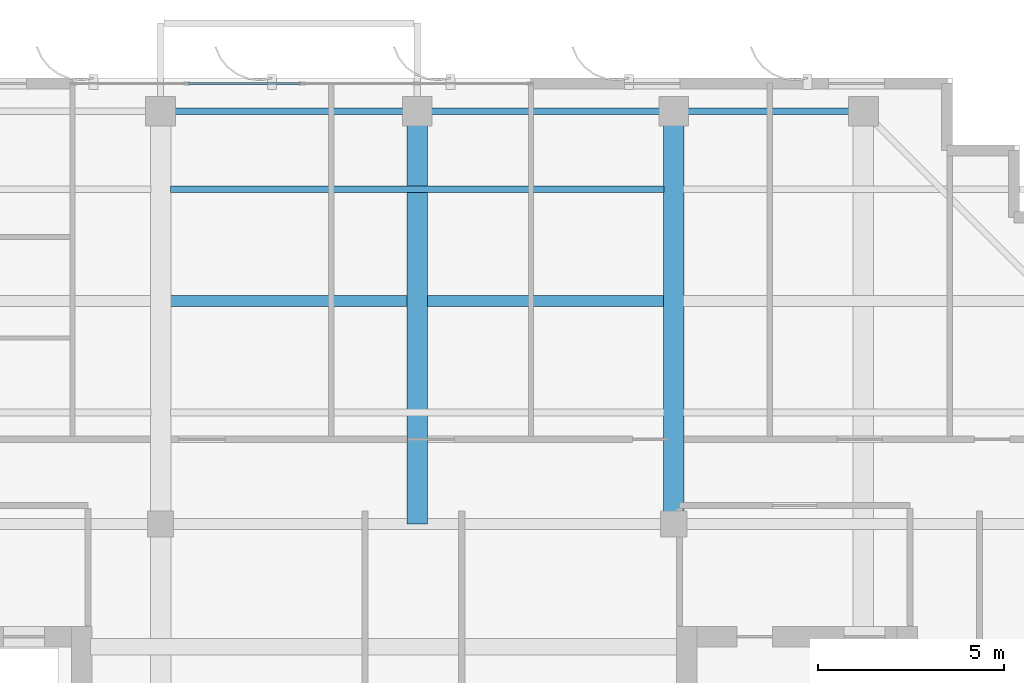
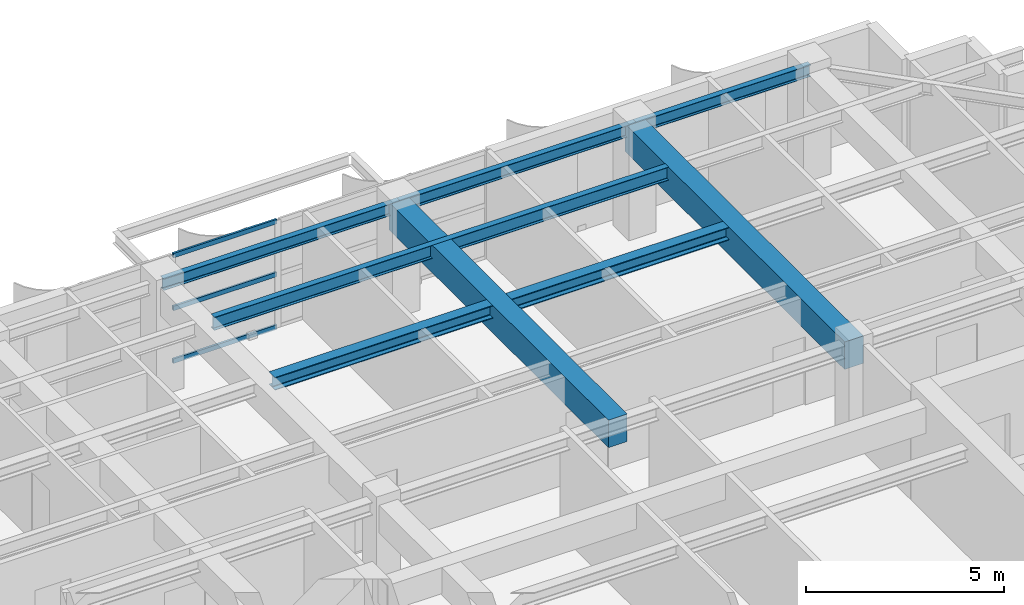
# One storey, part 15 of 23: 7 beams, 3 members, 1 element without a shape of its own.
"""IFC4 building model written with IfcOpenShell, lengths in metres."""

from ifc_helpers import new_model, si_unit, direction, frame, origin, origin_2d, place, context, subcontext, project, spatial, rectangle, hollow_rectangle, i_section, extrude, source, transform, mapped, material, layer, layer_set, material_profile, profile_set, type_object, element, aggregate, save


model = new_model("IFC4")

# Units and contexts
model_context = context("Model", 3, precision=1e-05, world=origin(), true_north=direction((0.0, 1.0)))
body_context = subcontext(model_context, "Body", "Model", "MODEL_VIEW")
ifc_project = project(units=[si_unit("LENGTHUNIT", "METRE"), si_unit("AREAUNIT", "SQUARE_METRE"), si_unit("VOLUMEUNIT", "CUBIC_METRE"), si_unit("PLANEANGLEUNIT", "RADIAN"), si_unit("MASSUNIT", "GRAM", prefix="KILO")], contexts=[model_context])

# Site, building, storey
site_placement = place(None, origin())
site = spatial("IfcSite", under=ifc_project, at=site_placement, CompositionType="ELEMENT")
building_placement = place(site_placement, origin())
building = spatial("IfcBuilding", under=site, at=building_placement, Name="Khoralis Quay Care Tower", CompositionType="ELEMENT")
storey_placement = place(building_placement, frame((0.0, 0.0, 270.89990234375)))
storey = spatial("IfcBuildingStorey", under=building, at=storey_placement, Name="L71", CompositionType="ELEMENT", Elevation=270.89990234375)

# Beams
ifc_material_1 = material(Name="Steel S355", Category="steel")
ifc_material_profile_1 = material_profile(ifc_material_1, i_section(OverallWidth=0.169921875, OverallDepth=0.360107421875, WebThickness=0.008056640625, FlangeThickness=0.0126953125, FilletRadius=0.01806640625, at=origin_2d()), Name="Steel S355")
ifc_profile_set_1 = profile_set([ifc_material_profile_1], Name="Steel S355")
beam_type_1 = type_object("IfcBeamType", Name="BM-IPE360", PredefinedType="SPANDREL", material=ifc_profile_set_1)
shared_shape_1 = source(origin(), body_context, "Body", "SweptSolid", [
    extrude(i_section(OverallWidth=0.169921875, OverallDepth=0.360107421875, WebThickness=0.008056640625, FlangeThickness=0.0126953125, FilletRadius=0.01806640625, at=origin_2d()), origin(), (0.0, 0.0, 1.0), 5.10009765625),
])
beam_1_placement = place(storey_placement, frame((30.89990234375, 41.10009765625, 3.14013671875), z_axis=(1.0, 0.0, 0.0), x_axis=(0.0, 1.0, 0.0)))
element("IfcBeam", 1, at=beam_1_placement, inside=storey, type_object=beam_type_1, Name="BM-TSP-L71-08", PredefinedType="SPANDREL", context=body_context, shape_type="MappedRepresentation", body=[
    mapped(shared_shape_1, transform((0.0, 0.0, 0.0), scale=1.0)),
])
ifc_material_2 = material(Name="Concrete C50/60", Category="concrete")
ifc_material_profile_2 = material_profile(ifc_material_2, rectangle(XDim=0.550048828125, YDim=0.85009765625, at=origin_2d()), Name="Concrete C50/60")
ifc_profile_set_2 = profile_set([ifc_material_profile_2], Name="Concrete C50/60")
beam_type_2 = type_object("IfcBeamType", Name="BM-RC550X850", PredefinedType="BEAM", material=ifc_profile_set_2)
shared_shape_2 = source(origin(), body_context, "Body", "SweptSolid", [
    extrude(rectangle(XDim=0.550048828125, YDim=0.85009765625, at=origin_2d()), origin(), (0.0, 0.0, 1.0), 11.10009765625),
])
for number, where, z_axis, x_axis, name in (
    (2, (24.0, 30.0, 2.89501953125), (0.0, 1.0, 0.0), (-1.0, 0.0, 0.0), "BM-TGYN-L71-240"),
    (3, (30.89990234375, 30.0, 2.89501953125), (0.0, 1.0, 0.0), (-1.0, 0.0, 0.0), "BM-TGYN-L71-309"),
):
    element("IfcBeam", number, at=place(storey_placement, frame(where, z_axis=z_axis, x_axis=x_axis)), inside=storey, type_object=beam_type_2, Name=name, PredefinedType="BEAM", context=body_context, shape_type="MappedRepresentation", body=[
        mapped(shared_shape_2, transform((0.0, 0.0, 0.0), scale=1.0)),
    ])
shared_shape_3 = source(origin(), body_context, "Body", "SweptSolid", [
    extrude(i_section(OverallWidth=0.169921875, OverallDepth=0.360107421875, WebThickness=0.008056640625, FlangeThickness=0.0126953125, FilletRadius=0.01806640625, at=origin_2d()), origin(), (0.0, 0.0, 1.0), 6.89990234375),
])
for number, where, z_axis, x_axis, name in (
    (4, (17.10009765625, 41.10009765625, 3.14013671875), (1.0, 0.0, 0.0), (0.0, 1.0, 0.0), "BM-TSP-L71-06"),
    (5, (24.0, 41.10009765625, 3.14013671875), (1.0, 0.0, 0.0), (0.0, 1.0, 0.0), "BM-TSP-L71-07"),
):
    element("IfcBeam", number, at=place(storey_placement, frame(where, z_axis=z_axis, x_axis=x_axis)), inside=storey, type_object=beam_type_1, Name=name, PredefinedType="SPANDREL", context=body_context, shape_type="MappedRepresentation", body=[
        mapped(shared_shape_3, transform((0.0, 0.0, 0.0), scale=1.0)),
    ])
ifc_material_profile_3 = material_profile(ifc_material_1, i_section(OverallWidth=0.300048828125, OverallDepth=0.39990234375, WebThickness=0.013427734375, FlangeThickness=0.02392578125, FilletRadius=0.027099609375, at=origin_2d()), Name="Steel S355")
ifc_profile_set_3 = profile_set([ifc_material_profile_3], Name="Steel S355")
beam_type_3 = type_object("IfcBeamType", Name="BM-HEB400", PredefinedType="BEAM", material=ifc_profile_set_3)
shared_shape_4 = source(origin(), body_context, "Body", "SweptSolid", [
    extrude(i_section(OverallWidth=0.300048828125, OverallDepth=0.39990234375, WebThickness=0.013427734375, FlangeThickness=0.02392578125, FilletRadius=0.027099609375, at=origin_2d()), origin(), (0.0, 0.0, 1.0), 13.27392578125),
])
beam_2_placement = place(storey_placement, frame((17.363037109375, 36.0, 3.1201171875), z_axis=(1.0, 0.0, 0.0), x_axis=(0.0, 1.0, 0.0)))
element("IfcBeam", 6, at=beam_2_placement, inside=storey, type_object=beam_type_3, Name="BM-TGCC-L71-360", PredefinedType="BEAM", context=body_context, shape_type="MappedRepresentation", body=[
    mapped(shared_shape_4, transform((0.0, 0.0, 0.0), scale=1.0)),
])
ifc_material_profile_4 = material_profile(ifc_material_1, i_section(OverallWidth=0.177978515625, OverallDepth=0.406982421875, WebThickness=0.0078125, FlangeThickness=0.0126953125, FilletRadius=0.012939453125, at=origin_2d()), Name="Steel S355")
ifc_profile_set_4 = profile_set([ifc_material_profile_4], Name="Steel S355")
beam_type_4 = type_object("IfcBeamType", Name="BM-W410X60", PredefinedType="JOIST", material=ifc_profile_set_4)
shared_shape_5 = source(origin(), body_context, "Body", "SweptSolid", [
    extrude(i_section(OverallWidth=0.177978515625, OverallDepth=0.406982421875, WebThickness=0.0078125, FlangeThickness=0.0126953125, FilletRadius=0.012939453125, at=origin_2d()), origin(), (0.0, 0.0, 1.0), 13.27392578125),
])
beam_3_placement = place(storey_placement, frame((17.363037109375, 39.0, 3.11669921875), z_axis=(1.0, 0.0, 0.0), x_axis=(0.0, 1.0, 0.0)))
element("IfcBeam", 7, at=beam_3_placement, inside=storey, type_object=beam_type_4, Name="BM-TJS-L71-29", PredefinedType="JOIST", context=body_context, shape_type="MappedRepresentation", body=[
    mapped(shared_shape_5, transform((0.0, 0.0, 0.0), scale=1.0)),
])

# Curtain wall, members
ifc_material_3 = material(Name="Pale anodised aluminium", Category="aluminium")
ifc_layer = layer(ifc_material_3, 0.159912109375)
ifc_layer_set = layer_set([ifc_layer], Name="Pale anodised aluminium")
curtain_wall_type = type_object("IfcCurtainWallType", Name="CW-SYS-Z3", PredefinedType="NOTDEFINED", material=ifc_layer_set)
curtain_wall_placement = place(storey_placement, origin())
curtain_wall = element("IfcCurtainWall", 8, at=curtain_wall_placement, inside=storey, type_object=curtain_wall_type, Name="L71 Unitised Curtain Wall CW-L71-P1-E10", PredefinedType="NOTDEFINED")
ifc_material_profile_5 = material_profile(ifc_material_3, hollow_rectangle(XDim=0.06005859375, YDim=0.139892578125, WallThickness=0.00390625, at=origin_2d()), Name="Pale anodised aluminium")
ifc_profile_set_5 = profile_set([ifc_material_profile_5], Name="Pale anodised aluminium")
member_type = type_object("IfcMemberType", Name="CW-TRN-140", PredefinedType="USERDEFINED", material=ifc_profile_set_5)
shared_shape_6 = source(origin(), body_context, "Body", "SweptSolid", [
    extrude(hollow_rectangle(XDim=0.06005859375, YDim=0.139892578125, WallThickness=0.00390625, at=origin_2d()), origin(), (0.0, 0.0, 1.0), 3.0224609375),
])
member_1_placement = place(storey_placement, frame((20.864990234375, 41.85009765625, 0.030029296875), z_axis=(-1.0, 0.0, 0.0), x_axis=(0.0, -1.0, 0.0)))
member_1 = element("IfcMember", 9, at=member_1_placement, type_object=member_type, Name="CW3 transom 3.1", ObjectType="TRANSOM", PredefinedType="USERDEFINED", context=body_context, shape_type="MappedRepresentation", body=[
    mapped(shared_shape_6, transform((0.0, 0.0, 0.0), scale=1.0)),
])
member_2_placement = place(storey_placement, frame((20.864990234375, 41.85009765625, 1.66015625), z_axis=(-1.0, 0.0, 0.0), x_axis=(0.0, -1.0, 0.0)))
member_2 = element("IfcMember", 10, at=member_2_placement, type_object=member_type, Name="CW3 transom 3.2", ObjectType="TRANSOM", PredefinedType="USERDEFINED", context=body_context, shape_type="MappedRepresentation", body=[
    mapped(shared_shape_6, transform((0.0, 0.0, 0.0), scale=1.0)),
])
member_3_placement = place(storey_placement, frame((20.864990234375, 41.85009765625, 3.2900390625), z_axis=(-1.0, 0.0, 0.0), x_axis=(0.0, -1.0, 0.0)))
member_3 = element("IfcMember", 11, at=member_3_placement, type_object=member_type, Name="CW3 transom 3.3", ObjectType="TRANSOM", PredefinedType="USERDEFINED", context=body_context, shape_type="MappedRepresentation", body=[
    mapped(shared_shape_6, transform((0.0, 0.0, 0.0), scale=1.0)),
])
aggregate(curtain_wall, [member_1, member_2, member_3])

save(model, "model.ifc")
